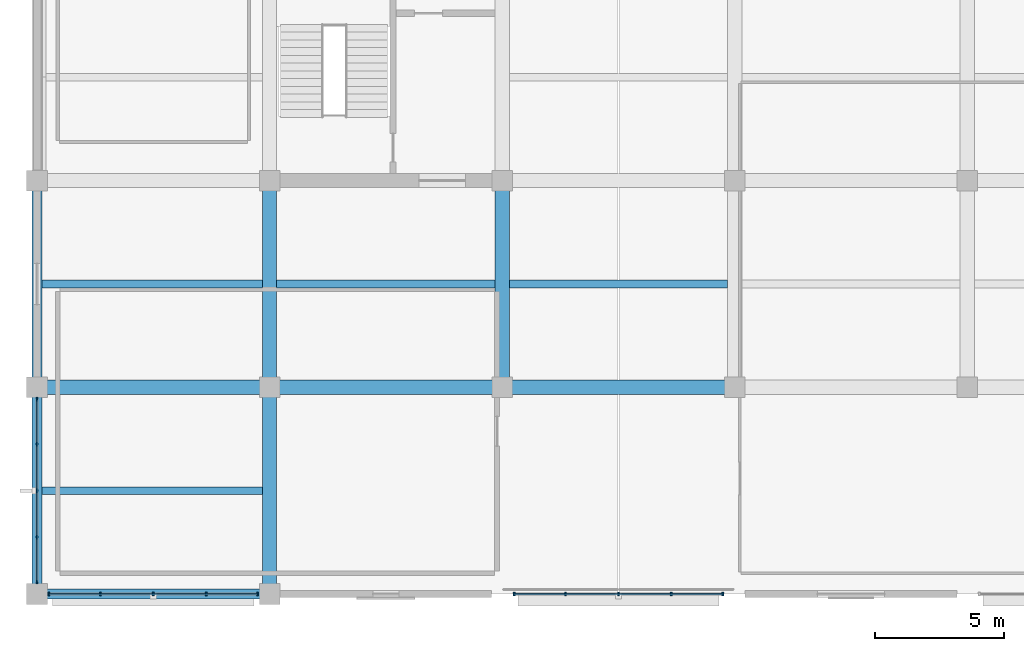
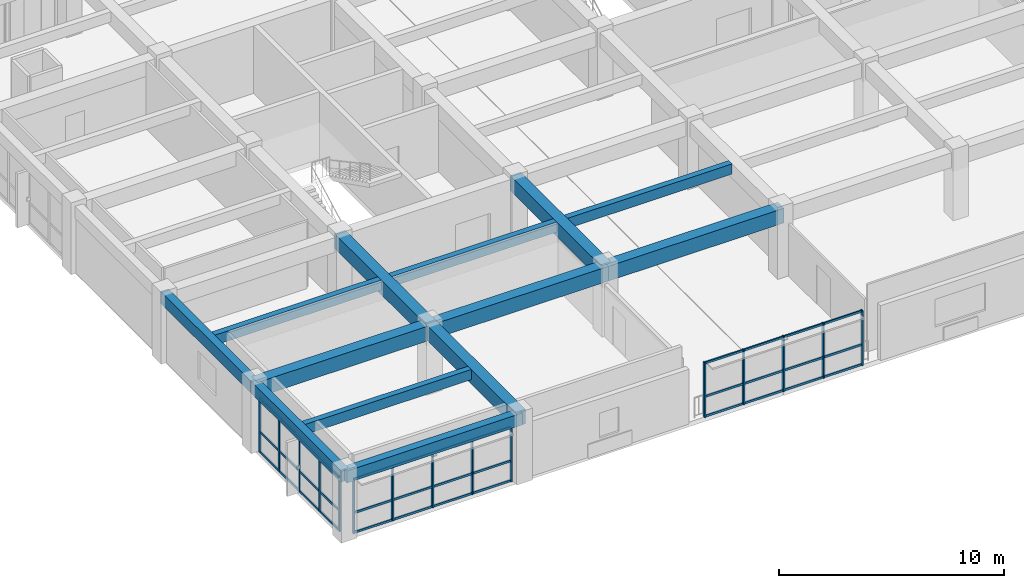
# One storey, part 2 of 17: 24 members, 13 beams, 3 elements without a shape of their own.
"""IFC4 building model written with IfcOpenShell, lengths in metres."""

from ifc_helpers import new_model, si_unit, direction, frame, origin, origin_2d, place, context, subcontext, project, spatial, rectangle, extrude, material, material_profile, profile_set, type_object, element, aggregate, save


model = new_model("IFC4")

# Units and contexts
model_context = context("Model", 3, precision=1e-05, world=origin(), true_north=direction((0.0, 1.0)))
body_context = subcontext(model_context, "Body", "Model", "MODEL_VIEW")
ifc_project = project(units=[si_unit("LENGTHUNIT", "METRE"), si_unit("AREAUNIT", "SQUARE_METRE"), si_unit("VOLUMEUNIT", "CUBIC_METRE"), si_unit("PLANEANGLEUNIT", "RADIAN"), si_unit("MASSUNIT", "GRAM", prefix="KILO")], contexts=[model_context])

# Site, building, storey
site_placement = place(None, origin())
site = spatial("IfcSite", under=ifc_project, at=site_placement, CompositionType="ELEMENT")
building_placement = place(site_placement, origin())
building = spatial("IfcBuilding", under=site, at=building_placement, Name="Zaverband Oceanarium and Marine Research Institute", CompositionType="ELEMENT")
storey_placement = place(building_placement, frame((0.0, 0.0, 33.60009765625)))
storey = spatial("IfcBuildingStorey", under=building, at=storey_placement, Name="L08", CompositionType="ELEMENT", Elevation=33.60009765625)

# Beams
ifc_material_1 = material(Name="Concrete C40/50", Category="concrete")
ifc_material_profile_1 = material_profile(ifc_material_1, rectangle(XDim=0.550048828125, YDim=0.800048828125, at=origin_2d()), Name="RC550x800")
ifc_profile_set_1 = profile_set([ifc_material_profile_1], Name="Concrete C40/50")
beam_type_1 = type_object("IfcBeamType", Name="BM-550x800", PredefinedType="BEAM", material=ifc_profile_set_1)
for number, where, z_axis, x_axis, name in (
    (1, (9.0, 72.0, 3.25), (1.0, 0.0, 0.0), (0.0, 1.0, 0.0), "Primary floor girder BM-550x800"),
    (2, (18.0, 72.0, 3.25), (1.0, 0.0, 0.0), (0.0, 1.0, 0.0), "Primary floor girder BM-550x800"),
    (3, (27.0, 72.0, 3.25), (1.0, 0.0, 0.0), (0.0, 1.0, 0.0), "Primary floor girder BM-550x800"),
):
    element("IfcBeam", number, at=place(storey_placement, frame(where, z_axis=z_axis, x_axis=x_axis)), inside=storey, type_object=beam_type_1, Name=name, PredefinedType="BEAM", context=body_context, shape_type="SweptSolid", body=[
        extrude(rectangle(XDim=0.550048828125, YDim=0.800048828125, at=origin_2d()), origin(), (0.0, 0.0, 1.0), 9.0),
    ])
for number, where, z_axis, x_axis, name in (
    (4, (18.0, 64.0, 3.25), (0.0, 1.0, 0.0), (-1.0, 0.0, 0.0), "Primary floor girder BM-550x800"),
    (5, (18.0, 72.0, 3.25), (0.0, 1.0, 0.0), (-1.0, 0.0, 0.0), "Primary floor girder BM-550x800"),
    (6, (27.0, 72.0, 3.25), (0.0, 1.0, 0.0), (-1.0, 0.0, 0.0), "Primary floor girder BM-550x800"),
):
    element("IfcBeam", number, at=place(storey_placement, frame(where, z_axis=z_axis, x_axis=x_axis)), inside=storey, type_object=beam_type_1, Name=name, PredefinedType="BEAM", context=body_context, shape_type="SweptSolid", body=[
        extrude(rectangle(XDim=0.550048828125, YDim=0.800048828125, at=origin_2d()), origin(), (0.0, 0.0, 1.0), 8.0),
    ])
ifc_material_profile_2 = material_profile(ifc_material_1, rectangle(XDim=0.300048828125, YDim=0.550048828125, at=origin_2d()), Name="RC300x550")
ifc_profile_set_2 = profile_set([ifc_material_profile_2], Name="Concrete C40/50")
beam_type_2 = type_object("IfcBeamType", Name="JST-300x550", PredefinedType="JOIST", material=ifc_profile_set_2)
for number, where, z_axis, x_axis, name in (
    (7, (9.199951171875, 68.0, 3.375), (1.0, 0.0, 0.0), (0.0, 1.0, 0.0), "Secondary floor joist JST-300x550"),
    (8, (9.199951171875, 76.0, 3.375), (1.0, 0.0, 0.0), (0.0, 1.0, 0.0), "Secondary floor joist JST-300x550"),
):
    element("IfcBeam", number, at=place(storey_placement, frame(where, z_axis=z_axis, x_axis=x_axis)), inside=storey, type_object=beam_type_2, Name=name, PredefinedType="JOIST", context=body_context, shape_type="SweptSolid", body=[
        extrude(rectangle(XDim=0.300048828125, YDim=0.550048828125, at=origin_2d()), origin(), (0.0, 0.0, 1.0), 8.525146484375),
    ])
for number, where, z_axis, x_axis, name in (
    (9, (18.27490234375, 76.0, 3.375), (1.0, 0.0, 0.0), (0.0, 1.0, 0.0), "Secondary floor joist JST-300x550"),
    (10, (27.27490234375, 76.0, 3.375), (1.0, 0.0, 0.0), (0.0, 1.0, 0.0), "Secondary floor joist JST-300x550"),
):
    element("IfcBeam", number, at=place(storey_placement, frame(where, z_axis=z_axis, x_axis=x_axis)), inside=storey, type_object=beam_type_2, Name=name, PredefinedType="JOIST", context=body_context, shape_type="SweptSolid", body=[
        extrude(rectangle(XDim=0.300048828125, YDim=0.550048828125, at=origin_2d()), origin(), (0.0, 0.0, 1.0), 8.4501953125),
    ])

# Curtain wall, members
ifc_material_2 = material(Name="Thermally broken anodized aluminium and solar-control glass", Category="aluminium")
curtain_wall_type = type_object("IfcCurtainWallType", Name="CW-UNIT-1800", PredefinedType="NOTDEFINED", material=ifc_material_2)
curtain_wall_1_placement = place(storey_placement, origin())
curtain_wall_1 = element("IfcCurtainWall", 11, at=curtain_wall_1_placement, inside=storey, type_object=curtain_wall_type, Name="Unitised glazed curtain wall CW-094", PredefinedType="NOTDEFINED")
ifc_material_3 = material(Name="Thermally broken anodized aluminium", Category="aluminium")
ifc_material_profile_3 = material_profile(ifc_material_3, rectangle(XDim=0.070068359375, YDim=0.14990234375, at=origin_2d()), Name="AL-MUL-70x150")
ifc_profile_set_3 = profile_set([ifc_material_profile_3], Name="Thermally broken anodized aluminium")
member_type_1 = type_object("IfcMemberType", Name="MUL-70x150", PredefinedType="MULLION", material=ifc_profile_set_3)
member_1_placement = place(storey_placement, frame((9.465087890625, 64.0, 0.0), z_axis=(0.0, 0.0, 1.0), x_axis=(1.0, 0.0, 0.0)))
member_1 = element("IfcMember", 12, at=member_1_placement, type_object=member_type_1, Name="Curtain wall vertical mullion MUL-70x150", PredefinedType="MULLION", context=body_context, shape_type="SweptSolid", body=[
    extrude(rectangle(XDim=0.070068359375, YDim=0.14990234375, at=origin_2d()), origin(), (0.0, 0.0, 1.0), 2.97998046875),
])
member_2_placement = place(storey_placement, frame((11.452392578125, 64.0, 0.0), z_axis=(0.0, 0.0, 1.0), x_axis=(1.0, 0.0, 0.0)))
member_2 = element("IfcMember", 13, at=member_2_placement, type_object=member_type_1, Name="Curtain wall vertical mullion MUL-70x150", PredefinedType="MULLION", context=body_context, shape_type="SweptSolid", body=[
    extrude(rectangle(XDim=0.070068359375, YDim=0.14990234375, at=origin_2d()), origin(), (0.0, 0.0, 1.0), 2.97998046875),
])
member_3_placement = place(storey_placement, frame((13.5, 64.0, 0.0), z_axis=(0.0, 0.0, 1.0), x_axis=(1.0, 0.0, 0.0)))
member_3 = element("IfcMember", 14, at=member_3_placement, type_object=member_type_1, Name="Curtain wall vertical mullion MUL-70x150", PredefinedType="MULLION", context=body_context, shape_type="SweptSolid", body=[
    extrude(rectangle(XDim=0.070068359375, YDim=0.14990234375, at=origin_2d()), origin(), (0.0, 0.0, 1.0), 2.97998046875),
])
member_4_placement = place(storey_placement, frame((15.547607421875, 64.0, 0.0), z_axis=(0.0, 0.0, 1.0), x_axis=(1.0, 0.0, 0.0)))
member_4 = element("IfcMember", 15, at=member_4_placement, type_object=member_type_1, Name="Curtain wall vertical mullion MUL-70x150", PredefinedType="MULLION", context=body_context, shape_type="SweptSolid", body=[
    extrude(rectangle(XDim=0.070068359375, YDim=0.14990234375, at=origin_2d()), origin(), (0.0, 0.0, 1.0), 2.97998046875),
])
member_5_placement = place(storey_placement, frame((17.534912109375, 64.0, 0.0), z_axis=(0.0, 0.0, 1.0), x_axis=(1.0, 0.0, 0.0)))
member_5 = element("IfcMember", 16, at=member_5_placement, type_object=member_type_1, Name="Curtain wall vertical mullion MUL-70x150", PredefinedType="MULLION", context=body_context, shape_type="SweptSolid", body=[
    extrude(rectangle(XDim=0.070068359375, YDim=0.14990234375, at=origin_2d()), origin(), (0.0, 0.0, 1.0), 2.97998046875),
])

curtain_wall_2_placement = place(storey_placement, origin())
curtain_wall_2 = element("IfcCurtainWall", 17, at=curtain_wall_2_placement, inside=storey, type_object=curtain_wall_type, Name="Unitised glazed curtain wall CW-095", PredefinedType="NOTDEFINED")
member_6_placement = place(storey_placement, frame((27.465087890625, 64.0, 0.0), z_axis=(0.0, 0.0, 1.0), x_axis=(1.0, 0.0, 0.0)))
member_6 = element("IfcMember", 18, at=member_6_placement, type_object=member_type_1, Name="Curtain wall vertical mullion MUL-70x150", PredefinedType="MULLION", context=body_context, shape_type="SweptSolid", body=[
    extrude(rectangle(XDim=0.070068359375, YDim=0.14990234375, at=origin_2d()), origin(), (0.0, 0.0, 1.0), 2.97998046875),
])
member_7_placement = place(storey_placement, frame((29.452392578125, 64.0, 0.0), z_axis=(0.0, 0.0, 1.0), x_axis=(1.0, 0.0, 0.0)))
member_7 = element("IfcMember", 19, at=member_7_placement, type_object=member_type_1, Name="Curtain wall vertical mullion MUL-70x150", PredefinedType="MULLION", context=body_context, shape_type="SweptSolid", body=[
    extrude(rectangle(XDim=0.070068359375, YDim=0.14990234375, at=origin_2d()), origin(), (0.0, 0.0, 1.0), 2.97998046875),
])
member_8_placement = place(storey_placement, frame((31.5, 64.0, 0.0), z_axis=(0.0, 0.0, 1.0), x_axis=(1.0, 0.0, 0.0)))
member_8 = element("IfcMember", 20, at=member_8_placement, type_object=member_type_1, Name="Curtain wall vertical mullion MUL-70x150", PredefinedType="MULLION", context=body_context, shape_type="SweptSolid", body=[
    extrude(rectangle(XDim=0.070068359375, YDim=0.14990234375, at=origin_2d()), origin(), (0.0, 0.0, 1.0), 2.97998046875),
])
member_9_placement = place(storey_placement, frame((33.547607421875, 64.0, 0.0), z_axis=(0.0, 0.0, 1.0), x_axis=(1.0, 0.0, 0.0)))
member_9 = element("IfcMember", 21, at=member_9_placement, type_object=member_type_1, Name="Curtain wall vertical mullion MUL-70x150", PredefinedType="MULLION", context=body_context, shape_type="SweptSolid", body=[
    extrude(rectangle(XDim=0.070068359375, YDim=0.14990234375, at=origin_2d()), origin(), (0.0, 0.0, 1.0), 2.97998046875),
])
member_10_placement = place(storey_placement, frame((35.534912109375, 64.0, 0.0), z_axis=(0.0, 0.0, 1.0), x_axis=(1.0, 0.0, 0.0)))
member_10 = element("IfcMember", 22, at=member_10_placement, type_object=member_type_1, Name="Curtain wall vertical mullion MUL-70x150", PredefinedType="MULLION", context=body_context, shape_type="SweptSolid", body=[
    extrude(rectangle(XDim=0.070068359375, YDim=0.14990234375, at=origin_2d()), origin(), (0.0, 0.0, 1.0), 2.97998046875),
])

curtain_wall_3_placement = place(storey_placement, origin())
curtain_wall_3 = element("IfcCurtainWall", 23, at=curtain_wall_3_placement, inside=storey, type_object=curtain_wall_type, Name="Unitised glazed curtain wall CW-100", PredefinedType="NOTDEFINED")
member_11_placement = place(storey_placement, frame((9.0, 64.465087890625, 0.0), z_axis=(0.0, 0.0, 1.0), x_axis=(1.0, 0.0, 0.0)))
member_11 = element("IfcMember", 24, at=member_11_placement, type_object=member_type_1, Name="Curtain wall vertical mullion MUL-70x150", PredefinedType="MULLION", context=body_context, shape_type="SweptSolid", body=[
    extrude(rectangle(XDim=0.070068359375, YDim=0.14990234375, at=origin_2d()), origin(), (0.0, 0.0, 1.0), 2.97998046875),
])
member_12_placement = place(storey_placement, frame((9.0, 66.202392578125, 0.0), z_axis=(0.0, 0.0, 1.0), x_axis=(1.0, 0.0, 0.0)))
member_12 = element("IfcMember", 25, at=member_12_placement, type_object=member_type_1, Name="Curtain wall vertical mullion MUL-70x150", PredefinedType="MULLION", context=body_context, shape_type="SweptSolid", body=[
    extrude(rectangle(XDim=0.070068359375, YDim=0.14990234375, at=origin_2d()), origin(), (0.0, 0.0, 1.0), 2.97998046875),
])
member_13_placement = place(storey_placement, frame((9.0, 68.0, 0.0), z_axis=(0.0, 0.0, 1.0), x_axis=(1.0, 0.0, 0.0)))
member_13 = element("IfcMember", 26, at=member_13_placement, type_object=member_type_1, Name="Curtain wall vertical mullion MUL-70x150", PredefinedType="MULLION", context=body_context, shape_type="SweptSolid", body=[
    extrude(rectangle(XDim=0.070068359375, YDim=0.14990234375, at=origin_2d()), origin(), (0.0, 0.0, 1.0), 2.97998046875),
])
member_14_placement = place(storey_placement, frame((9.0, 69.797607421875, 0.0), z_axis=(0.0, 0.0, 1.0), x_axis=(1.0, 0.0, 0.0)))
member_14 = element("IfcMember", 27, at=member_14_placement, type_object=member_type_1, Name="Curtain wall vertical mullion MUL-70x150", PredefinedType="MULLION", context=body_context, shape_type="SweptSolid", body=[
    extrude(rectangle(XDim=0.070068359375, YDim=0.14990234375, at=origin_2d()), origin(), (0.0, 0.0, 1.0), 2.97998046875),
])
member_15_placement = place(storey_placement, frame((9.0, 71.534912109375, 0.0), z_axis=(0.0, 0.0, 1.0), x_axis=(1.0, 0.0, 0.0)))
member_15 = element("IfcMember", 28, at=member_15_placement, type_object=member_type_1, Name="Curtain wall vertical mullion MUL-70x150", PredefinedType="MULLION", context=body_context, shape_type="SweptSolid", body=[
    extrude(rectangle(XDim=0.070068359375, YDim=0.14990234375, at=origin_2d()), origin(), (0.0, 0.0, 1.0), 2.97998046875),
])

# Beams
ifc_material_profile_4 = material_profile(ifc_material_1, rectangle(XDim=0.39990234375, YDim=0.64990234375, at=origin_2d()), Name="RC400x650")
ifc_profile_set_4 = profile_set([ifc_material_profile_4], Name="Concrete C40/50")
beam_type_3 = type_object("IfcBeamType", Name="SPN-400x650", PredefinedType="SPANDREL", material=ifc_profile_set_4)
beam_placement = place(storey_placement, frame((9.0, 64.0, 3.324951171875), z_axis=(1.0, 0.0, 0.0), x_axis=(0.0, 1.0, 0.0)))
element("IfcBeam", 29, at=beam_placement, inside=storey, type_object=beam_type_3, Name="Perimeter spandrel beam SPN-400x650", PredefinedType="SPANDREL", context=body_context, shape_type="SweptSolid", body=[
    extrude(rectangle(XDim=0.39990234375, YDim=0.64990234375, at=origin_2d()), origin(), (0.0, 0.0, 1.0), 9.0),
])
for number, where, z_axis, x_axis, name in (
    (30, (9.0, 64.0, 3.324951171875), (0.0, 1.0, 0.0), (-1.0, 0.0, 0.0), "Perimeter spandrel beam SPN-400x650"),
    (31, (9.0, 72.0, 3.324951171875), (0.0, 1.0, 0.0), (-1.0, 0.0, 0.0), "Perimeter spandrel beam SPN-400x650"),
):
    element("IfcBeam", number, at=place(storey_placement, frame(where, z_axis=z_axis, x_axis=x_axis)), inside=storey, type_object=beam_type_3, Name=name, PredefinedType="SPANDREL", context=body_context, shape_type="SweptSolid", body=[
        extrude(rectangle(XDim=0.39990234375, YDim=0.64990234375, at=origin_2d()), origin(), (0.0, 0.0, 1.0), 8.0),
    ])

# Member
ifc_material_profile_5 = material_profile(ifc_material_3, rectangle(XDim=0.070068359375, YDim=0.114990234375, at=origin_2d()), Name="AL-TRN-70x115")
ifc_profile_set_5 = profile_set([ifc_material_profile_5], Name="Thermally broken anodized aluminium")
member_type_2 = type_object("IfcMemberType", Name="TRN-70x115", PredefinedType="USERDEFINED", material=ifc_profile_set_5)
member_16_placement = place(storey_placement, frame((9.465087890625, 64.0, 0.0498046875), z_axis=(1.0, 0.0, 0.0), x_axis=(0.0, 1.0, 0.0)))
member_16 = element("IfcMember", 32, at=member_16_placement, type_object=member_type_2, Name="Curtain wall horizontal transom TRN-70x115", ObjectType="TRANSOM", PredefinedType="USERDEFINED", context=body_context, shape_type="SweptSolid", body=[
    extrude(rectangle(XDim=0.070068359375, YDim=0.114990234375, at=origin_2d()), origin(), (0.0, 0.0, 1.0), 8.06982421875),
])

member_17_placement = place(storey_placement, frame((9.465087890625, 64.0, 1.122802734375), z_axis=(1.0, 0.0, 0.0), x_axis=(0.0, 1.0, 0.0)))
member_17 = element("IfcMember", 33, at=member_17_placement, type_object=member_type_2, Name="Curtain wall horizontal transom TRN-70x115", ObjectType="TRANSOM", PredefinedType="USERDEFINED", context=body_context, shape_type="SweptSolid", body=[
    extrude(rectangle(XDim=0.070068359375, YDim=0.114990234375, at=origin_2d()), origin(), (0.0, 0.0, 1.0), 8.06982421875),
])

member_18_placement = place(storey_placement, frame((9.465087890625, 64.0, 2.929931640625), z_axis=(1.0, 0.0, 0.0), x_axis=(0.0, 1.0, 0.0)))
member_18 = element("IfcMember", 34, at=member_18_placement, type_object=member_type_2, Name="Curtain wall horizontal transom TRN-70x115", ObjectType="TRANSOM", PredefinedType="USERDEFINED", context=body_context, shape_type="SweptSolid", body=[
    extrude(rectangle(XDim=0.070068359375, YDim=0.114990234375, at=origin_2d()), origin(), (0.0, 0.0, 1.0), 8.06982421875),
])

aggregate(curtain_wall_1, [member_1, member_2, member_3, member_4, member_5, member_16, member_17, member_18])

member_19_placement = place(storey_placement, frame((27.465087890625, 64.0, 0.0498046875), z_axis=(1.0, 0.0, 0.0), x_axis=(0.0, 1.0, 0.0)))
member_19 = element("IfcMember", 35, at=member_19_placement, type_object=member_type_2, Name="Curtain wall horizontal transom TRN-70x115", ObjectType="TRANSOM", PredefinedType="USERDEFINED", context=body_context, shape_type="SweptSolid", body=[
    extrude(rectangle(XDim=0.070068359375, YDim=0.114990234375, at=origin_2d()), origin(), (0.0, 0.0, 1.0), 8.06982421875),
])

member_20_placement = place(storey_placement, frame((27.465087890625, 64.0, 1.122802734375), z_axis=(1.0, 0.0, 0.0), x_axis=(0.0, 1.0, 0.0)))
member_20 = element("IfcMember", 36, at=member_20_placement, type_object=member_type_2, Name="Curtain wall horizontal transom TRN-70x115", ObjectType="TRANSOM", PredefinedType="USERDEFINED", context=body_context, shape_type="SweptSolid", body=[
    extrude(rectangle(XDim=0.070068359375, YDim=0.114990234375, at=origin_2d()), origin(), (0.0, 0.0, 1.0), 8.06982421875),
])

member_21_placement = place(storey_placement, frame((27.465087890625, 64.0, 2.929931640625), z_axis=(1.0, 0.0, 0.0), x_axis=(0.0, 1.0, 0.0)))
member_21 = element("IfcMember", 37, at=member_21_placement, type_object=member_type_2, Name="Curtain wall horizontal transom TRN-70x115", ObjectType="TRANSOM", PredefinedType="USERDEFINED", context=body_context, shape_type="SweptSolid", body=[
    extrude(rectangle(XDim=0.070068359375, YDim=0.114990234375, at=origin_2d()), origin(), (0.0, 0.0, 1.0), 8.06982421875),
])

aggregate(curtain_wall_2, [member_6, member_7, member_8, member_9, member_10, member_19, member_20, member_21])

member_22_placement = place(storey_placement, frame((9.0, 64.465087890625, 0.0498046875), z_axis=(0.0, 1.0, 0.0), x_axis=(-1.0, 0.0, 0.0)))
member_22 = element("IfcMember", 38, at=member_22_placement, type_object=member_type_2, Name="Curtain wall horizontal transom TRN-70x115", ObjectType="TRANSOM", PredefinedType="USERDEFINED", context=body_context, shape_type="SweptSolid", body=[
    extrude(rectangle(XDim=0.070068359375, YDim=0.114990234375, at=origin_2d()), origin(), (0.0, 0.0, 1.0), 7.06982421875),
])

member_23_placement = place(storey_placement, frame((9.0, 64.465087890625, 1.122802734375), z_axis=(0.0, 1.0, 0.0), x_axis=(-1.0, 0.0, 0.0)))
member_23 = element("IfcMember", 39, at=member_23_placement, type_object=member_type_2, Name="Curtain wall horizontal transom TRN-70x115", ObjectType="TRANSOM", PredefinedType="USERDEFINED", context=body_context, shape_type="SweptSolid", body=[
    extrude(rectangle(XDim=0.070068359375, YDim=0.114990234375, at=origin_2d()), origin(), (0.0, 0.0, 1.0), 7.06982421875),
])

member_24_placement = place(storey_placement, frame((9.0, 64.465087890625, 2.929931640625), z_axis=(0.0, 1.0, 0.0), x_axis=(-1.0, 0.0, 0.0)))
member_24 = element("IfcMember", 40, at=member_24_placement, type_object=member_type_2, Name="Curtain wall horizontal transom TRN-70x115", ObjectType="TRANSOM", PredefinedType="USERDEFINED", context=body_context, shape_type="SweptSolid", body=[
    extrude(rectangle(XDim=0.070068359375, YDim=0.114990234375, at=origin_2d()), origin(), (0.0, 0.0, 1.0), 7.06982421875),
])

aggregate(curtain_wall_3, [member_11, member_12, member_13, member_14, member_15, member_22, member_23, member_24])

save(model, "model.ifc")
